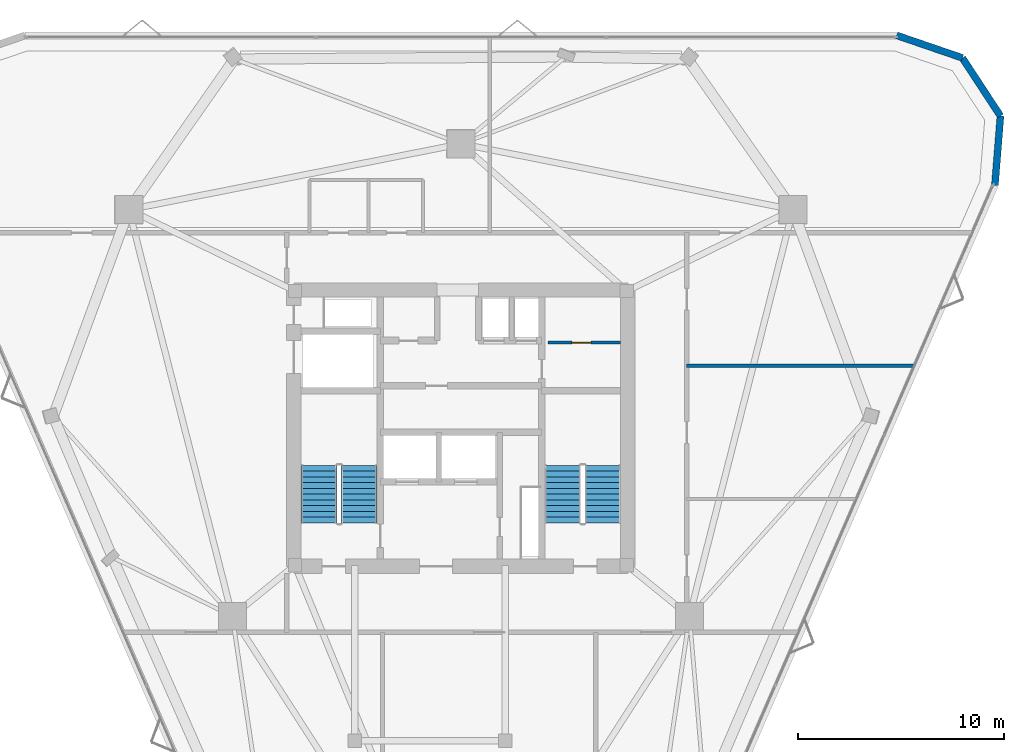
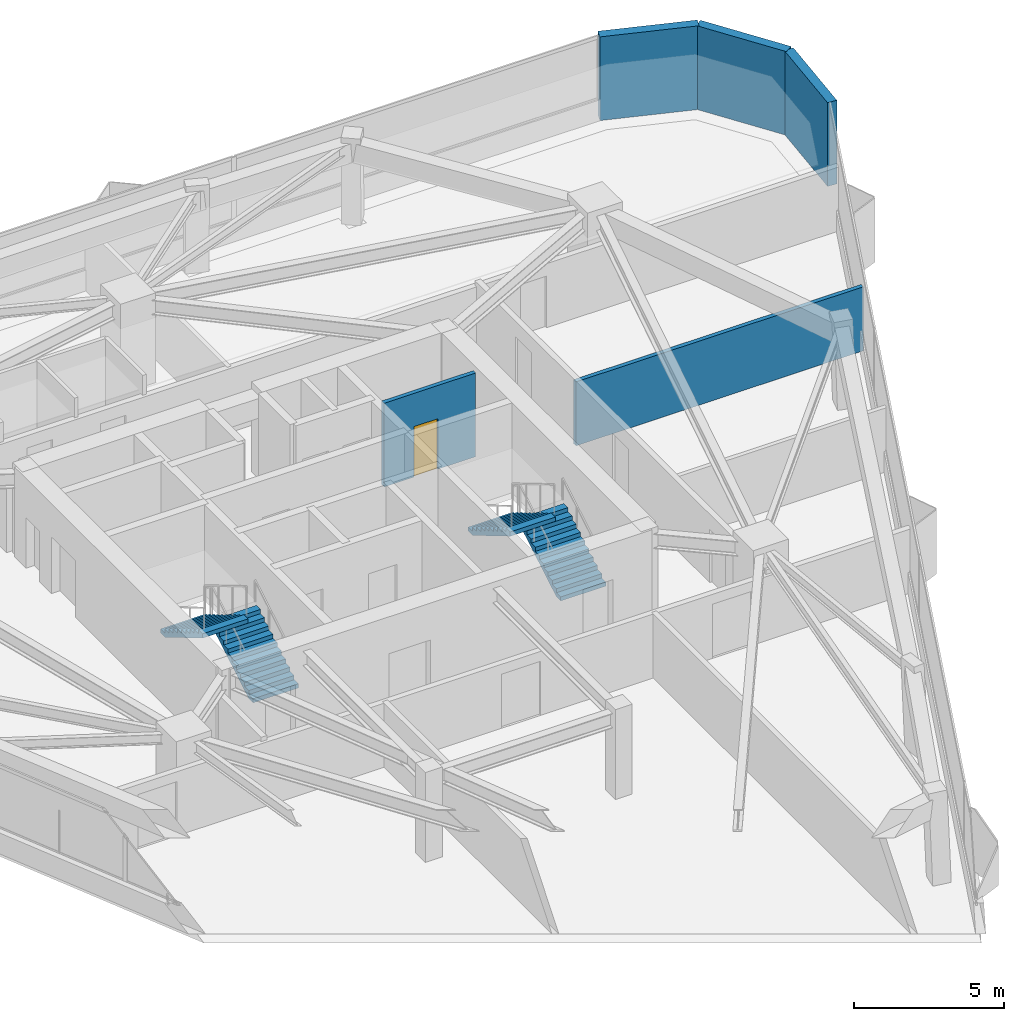
# One storey, part 11 of 13: 5 walls, 4 stair flights, 1 door, 1 opening, 2 elements without a shape of their own.
"""IFC4 building model written with IfcOpenShell, lengths in metres."""

from ifc_helpers import new_model, si_unit, direction, frame, frame_2d, origin, place, context, subcontext, project, spatial, polyline, rectangle, outline, extrude, material, layer, layer_set, type_object, element, fill, aggregate, save


model = new_model("IFC4")

# Units and contexts
model_context = context("Model", 3, precision=1e-05, world=origin(), true_north=direction((0.0, 1.0)))
body_context = subcontext(model_context, "Body", "Model", "MODEL_VIEW")
ifc_project = project(units=[si_unit("LENGTHUNIT", "METRE"), si_unit("AREAUNIT", "SQUARE_METRE"), si_unit("VOLUMEUNIT", "CUBIC_METRE"), si_unit("PLANEANGLEUNIT", "RADIAN"), si_unit("MASSUNIT", "GRAM", prefix="KILO")], contexts=[model_context])

# Site, building, storey
site_placement = place(None, origin())
site = spatial("IfcSite", under=ifc_project, at=site_placement, CompositionType="ELEMENT")
building_placement = place(site_placement, origin())
building = spatial("IfcBuilding", under=site, at=building_placement, Name="Talyreon Biosciences Tower", CompositionType="ELEMENT")
storey_placement = place(building_placement, frame((0.0, 0.0, 190.35009765625)))
storey = spatial("IfcBuildingStorey", under=building, at=storey_placement, Name="L50", CompositionType="ELEMENT", Elevation=190.35009765625)

# Wall, opening, door
ifc_material_1 = material(Name="Gypsum acoustic stud partition", Category="gypsum")
ifc_layer_1 = layer(ifc_material_1, 0.159912109375)
ifc_layer_set_1 = layer_set([ifc_layer_1], Name="Gypsum acoustic stud partition")
wall_type_1 = type_object("IfcWallType", Name="LabSeparationPartition_160", PredefinedType="PARTITIONING", material=ifc_layer_set_1)
wall_1_placement = place(storey_placement, frame((70.22998046875, 72.14990234375, 0.0), z_axis=(0.0, 0.0, 1.0), x_axis=(1.0, 0.0, 0.0)))
wall_1 = element("IfcWall", 1, at=wall_1_placement, inside=storey, type_object=wall_type_1, Name="L50 Interior Wall IW-L50-CSRV-H", PredefinedType="PARTITIONING", context=body_context, shape_type="SweptSolid", body=[
    extrude(rectangle(XDim=3.52001953125, YDim=0.159912109375, at=frame_2d((1.760009765625, 0.0))), origin(), (0.0, 0.0, 1.0), 3.39990234375),
])
opening_placement = place(wall_1_placement, frame((1.14990234375, 0.0, 0.0)))
opening = element("IfcOpeningElement", 2, at=opening_placement, cuts=wall_1, Name="Opening DR-L50-CSRV-I", PredefinedType="OPENING", context=body_context, shape_type="SweptSolid", body=[
    extrude(rectangle(XDim=0.919921875, YDim=2.050048828125, at=frame_2d((0.4599609375, 1.02490234375))), frame((0.0, 0.08984375, 0.0), z_axis=(0.0, -1.0, 0.0), x_axis=(1.0, 0.0, 0.0)), (0.0, 0.0, 1.0), 0.179931640625),
])
ifc_material_2 = material(Name="Painted steel fire-rated riser door", Category="steel")
door_type = type_object("IfcDoorType", Name="RiserPlantAccessDoor_920x2050", OperationType="NOTDEFINED", PredefinedType="DOOR", material=ifc_material_2)
door_placement = place(opening_placement, origin())
door = element("IfcDoor", 3, at=door_placement, inside=storey, type_object=door_type, Name="L50 Interior Door DR-L50-CSRV-I", OperationType="SINGLE_SWING_LEFT", OverallHeight=2.050048828125, OverallWidth=0.919921875, PredefinedType="DOOR", context=body_context, shape_type="SweptSolid", body=[
    extrude(rectangle(XDim=0.919921875, YDim=2.050048828125, at=frame_2d((0.4599609375, 1.02490234375))), frame((0.0, 0.02490234375, 0.0), z_axis=(0.0, -1.0, 0.0), x_axis=(1.0, 0.0, 0.0)), (0.0, 0.0, 1.0), 0.050048828125),
])
fill(opening, door)

# Walls
wall_2_placement = place(storey_placement, frame((76.949951171875, 71.02001953125, 0.0), z_axis=(0.0, 0.0, 1.0), x_axis=(1.0, 0.0, 0.0)))
element("IfcWall", 4, at=wall_2_placement, inside=storey, type_object=wall_type_1, Name="L50 Interior Wall IW-L50-EDIV2", PredefinedType="PARTITIONING", context=body_context, shape_type="SweptSolid", body=[
    extrude(rectangle(XDim=11.047119140625, YDim=0.159912109375, at=frame_2d((5.5234375, 0.0))), origin(), (0.0, 0.0, 1.0), 2.599853515625),
])
ifc_material_3 = material(Name="Precast concrete C45/55", Category="concrete")
ifc_layer_2 = layer(ifc_material_3, 0.340087890625)
ifc_layer_set_2 = layer_set([ifc_layer_2], Name="Precast concrete C45/55")
wall_type_2 = type_object("IfcWallType", Name="PrecastConcreteSpandrelWall_340", PredefinedType="STANDARD", material=ifc_layer_set_2)
wall_3_placement = place(storey_placement, frame((87.130859375, 87.052001953125, 0.0), z_axis=(0.0, 0.0, 1.0), x_axis=(0.945992271602, -0.32418917636, 0.0)))
element("IfcWall", 5, at=wall_3_placement, inside=storey, type_object=wall_type_2, Name="L50 Rounded-Corner Concrete Pier 05", PredefinedType="STANDARD", context=body_context, shape_type="SweptSolid", body=[
    extrude(rectangle(XDim=3.37158203125, YDim=0.340087890625, at=frame_2d((1.685791015625, 0.0))), origin(), (0.0, 0.0, 1.0), 3.39990234375),
])
wall_4_placement = place(storey_placement, frame((90.3203125, 85.958984375, 0.0), z_axis=(0.0, 0.0, 1.0), x_axis=(0.548234112363, -0.836324911767, 0.0)))
element("IfcWall", 6, at=wall_4_placement, inside=storey, type_object=wall_type_2, Name="L50 Rounded-Corner Concrete Pier 06", PredefinedType="STANDARD", context=body_context, shape_type="SweptSolid", body=[
    extrude(rectangle(XDim=3.3720703125, YDim=0.340087890625, at=frame_2d((1.68603515625, 0.0))), origin(), (0.0, 0.0, 1.0), 3.39990234375),
])
wall_5_placement = place(storey_placement, frame((92.1689453125, 83.138916015625, 0.0), z_axis=(0.0, 0.0, 1.0), x_axis=(-0.080012871035, -0.996793830473, 0.0)))
element("IfcWall", 7, at=wall_5_placement, inside=storey, type_object=wall_type_2, Name="L50 Rounded-Corner Concrete Pier 07", PredefinedType="STANDARD", context=body_context, shape_type="SweptSolid", body=[
    extrude(rectangle(XDim=3.37158203125, YDim=0.340087890625, at=frame_2d((1.685791015625, 0.0))), origin(), (0.0, 0.0, 1.0), 3.39990234375),
])

# Stair, stair flights
ifc_material_4 = material(Name="Concrete C40/50", Category="concrete")
stair_type = type_object("IfcStairType", Name="DoglegEscapeStair_3650", PredefinedType="HALF_TURN_STAIR", material=ifc_material_4)
stair_1_placement = place(storey_placement, origin())
stair_1 = element("IfcStair", 8, at=stair_1_placement, inside=storey, type_object=stair_type, Name="L50 Core Escape Stair 1", PredefinedType="HALF_TURN_STAIR")
stair_flight_type = type_object("IfcStairFlightType", Name="PrecastStairFlight_3650", PredefinedType="STRAIGHT", material=ifc_material_4)
stair_flight_1_placement = place(storey_placement, frame((61.06005859375, 63.39990234375, 0.0), z_axis=(0.0, 0.0, 1.0), x_axis=(0.0, 1.0, 0.0)))
stair_flight_1 = element("IfcStairFlight", 9, at=stair_flight_1_placement, type_object=stair_flight_type, Name="ST-1 flight 1", NumberOfRisers=11, NumberOfTreads=10, PredefinedType="STRAIGHT", RiserHeight=0.165909091, TreadLength=0.28, context=body_context, shape_type="SweptSolid", body=[
    extrude(outline(polyline([(0.0, 0.0), (0.0, 0.166015625), (0.280029296875, 0.166015625), (0.280029296875, 0.331787109375), (0.56005859375, 0.331787109375), (0.56005859375, 0.497802734375), (0.840087890625, 0.497802734375), (0.840087890625, 0.66357421875), (1.1201171875, 0.66357421875), (1.1201171875, 0.82958984375), (1.39990234375, 0.82958984375), (1.39990234375, 0.995361328125), (1.679931640625, 0.995361328125), (1.679931640625, 1.161376953125), (1.9599609375, 1.161376953125), (1.9599609375, 1.327392578125), (2.239990234375, 1.327392578125), (2.239990234375, 1.4931640625), (2.52001953125, 1.4931640625), (2.52001953125, 1.6591796875), (2.800048828125, 1.6591796875), (2.800048828125, 1.824951171875), (2.800048828125, 1.48486328125), (0.2939453125, 0.0), (0.0, 0.0)])), frame((0.0, 0.8701171875, 0.0), z_axis=(0.0, -1.0, 0.0), x_axis=(1.0, 0.0, 0.0)), (0.0, 0.0, 1.0), 1.739990234375),
])
stair_flight_2_placement = place(storey_placement, frame((59.1201171875, 66.199951171875, 1.824951171875), z_axis=(0.0, 0.0, 1.0), x_axis=(0.0, -1.0, 0.0)))
stair_flight_2 = element("IfcStairFlight", 10, at=stair_flight_2_placement, type_object=stair_flight_type, Name="ST-1 flight 2", NumberOfRisers=11, NumberOfTreads=10, PredefinedType="STRAIGHT", RiserHeight=0.165909091, TreadLength=0.28, context=body_context, shape_type="SweptSolid", body=[
    extrude(outline(polyline([(0.0, 0.0), (0.0, 0.166015625), (0.280029296875, 0.166015625), (0.280029296875, 0.331787109375), (0.56005859375, 0.331787109375), (0.56005859375, 0.497802734375), (0.840087890625, 0.497802734375), (0.840087890625, 0.66357421875), (1.1201171875, 0.66357421875), (1.1201171875, 0.82958984375), (1.39990234375, 0.82958984375), (1.39990234375, 0.995361328125), (1.679931640625, 0.995361328125), (1.679931640625, 1.161376953125), (1.9599609375, 1.161376953125), (1.9599609375, 1.327392578125), (2.239990234375, 1.327392578125), (2.239990234375, 1.4931640625), (2.52001953125, 1.4931640625), (2.52001953125, 1.6591796875), (2.800048828125, 1.6591796875), (2.800048828125, 1.824951171875), (2.800048828125, 1.48486328125), (0.2939453125, 0.0), (0.0, 0.0)])), frame((0.0, 0.8701171875, 0.0), z_axis=(0.0, -1.0, 0.0), x_axis=(1.0, 0.0, 0.0)), (0.0, 0.0, 1.0), 1.739990234375),
])
aggregate(stair_1, [stair_flight_1, stair_flight_2])

stair_2_placement = place(storey_placement, origin())
stair_2 = element("IfcStair", 11, at=stair_2_placement, inside=storey, type_object=stair_type, Name="L50 Core Escape Stair 2", PredefinedType="HALF_TURN_STAIR")
stair_flight_3_placement = place(storey_placement, frame((72.8798828125, 63.39990234375, 0.0), z_axis=(0.0, 0.0, 1.0), x_axis=(0.0, 1.0, 0.0)))
stair_flight_3 = element("IfcStairFlight", 12, at=stair_flight_3_placement, type_object=stair_flight_type, Name="ST-2 flight 1", NumberOfRisers=11, NumberOfTreads=10, PredefinedType="STRAIGHT", RiserHeight=0.165909091, TreadLength=0.28, context=body_context, shape_type="SweptSolid", body=[
    extrude(outline(polyline([(0.0, 0.0), (0.0, 0.166015625), (0.280029296875, 0.166015625), (0.280029296875, 0.331787109375), (0.56005859375, 0.331787109375), (0.56005859375, 0.497802734375), (0.840087890625, 0.497802734375), (0.840087890625, 0.66357421875), (1.1201171875, 0.66357421875), (1.1201171875, 0.82958984375), (1.39990234375, 0.82958984375), (1.39990234375, 0.995361328125), (1.679931640625, 0.995361328125), (1.679931640625, 1.161376953125), (1.9599609375, 1.161376953125), (1.9599609375, 1.327392578125), (2.239990234375, 1.327392578125), (2.239990234375, 1.4931640625), (2.52001953125, 1.4931640625), (2.52001953125, 1.6591796875), (2.800048828125, 1.6591796875), (2.800048828125, 1.824951171875), (2.800048828125, 1.48486328125), (0.2939453125, 0.0), (0.0, 0.0)])), frame((0.0, 0.8701171875, 0.0), z_axis=(0.0, -1.0, 0.0), x_axis=(1.0, 0.0, 0.0)), (0.0, 0.0, 1.0), 1.739990234375),
])
stair_flight_4_placement = place(storey_placement, frame((70.93994140625, 66.199951171875, 1.824951171875), z_axis=(0.0, 0.0, 1.0), x_axis=(0.0, -1.0, 0.0)))
stair_flight_4 = element("IfcStairFlight", 13, at=stair_flight_4_placement, type_object=stair_flight_type, Name="ST-2 flight 2", NumberOfRisers=11, NumberOfTreads=10, PredefinedType="STRAIGHT", RiserHeight=0.165909091, TreadLength=0.28, context=body_context, shape_type="SweptSolid", body=[
    extrude(outline(polyline([(0.0, 0.0), (0.0, 0.166015625), (0.280029296875, 0.166015625), (0.280029296875, 0.331787109375), (0.56005859375, 0.331787109375), (0.56005859375, 0.497802734375), (0.840087890625, 0.497802734375), (0.840087890625, 0.66357421875), (1.1201171875, 0.66357421875), (1.1201171875, 0.82958984375), (1.39990234375, 0.82958984375), (1.39990234375, 0.995361328125), (1.679931640625, 0.995361328125), (1.679931640625, 1.161376953125), (1.9599609375, 1.161376953125), (1.9599609375, 1.327392578125), (2.239990234375, 1.327392578125), (2.239990234375, 1.4931640625), (2.52001953125, 1.4931640625), (2.52001953125, 1.6591796875), (2.800048828125, 1.6591796875), (2.800048828125, 1.824951171875), (2.800048828125, 1.48486328125), (0.2939453125, 0.0), (0.0, 0.0)])), frame((0.0, 0.8701171875, 0.0), z_axis=(0.0, -1.0, 0.0), x_axis=(1.0, 0.0, 0.0)), (0.0, 0.0, 1.0), 1.739990234375),
])
aggregate(stair_2, [stair_flight_3, stair_flight_4])

save(model, "model.ifc")
